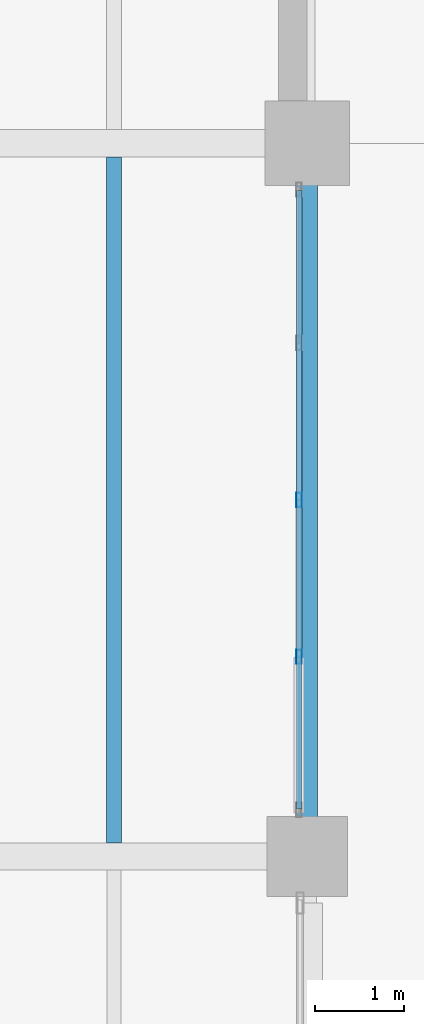
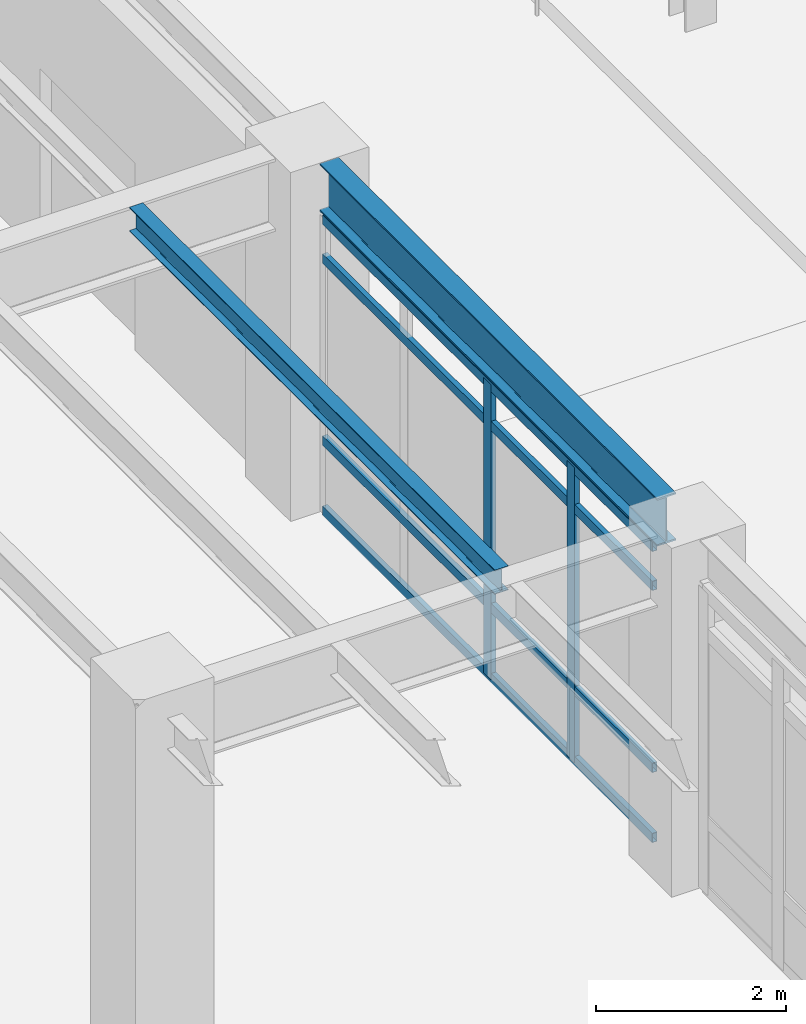
# One storey, part 113 of 200: 6 members, 2 beams, 1 element without a shape of its own.
"""IFC4 building model written with IfcOpenShell, lengths in metres."""

from ifc_helpers import new_model, si_unit, direction, frame, origin, origin_2d, place, context, subcontext, project, spatial, hollow_rectangle, i_section, extrude, material, material_profile, profile_set, type_object, element, aggregate, save


model = new_model("IFC4")

# Units and contexts
model_context = context("Model", 3, precision=1e-05, world=origin(), true_north=direction((0.0, 1.0)))
body_context = subcontext(model_context, "Body", "Model", "MODEL_VIEW")
ifc_project = project(units=[si_unit("LENGTHUNIT", "METRE"), si_unit("AREAUNIT", "SQUARE_METRE"), si_unit("VOLUMEUNIT", "CUBIC_METRE"), si_unit("PLANEANGLEUNIT", "RADIAN"), si_unit("MASSUNIT", "GRAM", prefix="KILO"), si_unit("THERMODYNAMICTEMPERATUREUNIT", "KELVIN"), si_unit("POWERUNIT", "WATT")], contexts=[model_context])

# Site, building, storey
site_placement = place(None, origin())
site = spatial("IfcSite", under=ifc_project, at=site_placement, CompositionType="ELEMENT")
building_placement = place(site_placement, origin())
building = spatial("IfcBuilding", under=site, at=building_placement, Name="Tepalcoro Natatorium and Aquatics Centre", CompositionType="ELEMENT")
storey_placement = place(building_placement, frame((0.0, 0.0, 5.39990234375)))
storey = spatial("IfcBuildingStorey", under=building, at=storey_placement, Name="L01", CompositionType="ELEMENT", Elevation=5.39990234375)

# Curtain wall, members
ifc_material_1 = material(Name="Bronze-Anodised Extruded Aluminium Alloy EN AW-6063 T6", Category="aluminium")
curtain_wall_type = type_object("IfcCurtainWallType", Name="CW_V1_PLINTH", PredefinedType="USERDEFINED", material=ifc_material_1)
curtain_wall_placement = place(storey_placement, origin())
curtain_wall = element("IfcCurtainWall", 1, at=curtain_wall_placement, inside=storey, type_object=curtain_wall_type, Name="V1 L01 E Unitised Curtain Wall Bay 4", ObjectType="UNITISED STOREFRONT", PredefinedType="USERDEFINED")
ifc_material_profile_1 = material_profile(ifc_material_1, hollow_rectangle(XDim=0.06005859375, YDim=0.159912109375, WallThickness=0.00390625, at=origin_2d()), Name="AL60X160X4")
ifc_profile_set_1 = profile_set([ifc_material_profile_1], Name="Bronze-Anodised Extruded Aluminium Alloy EN AW-6063 T6")
member_type_1 = type_object("IfcMemberType", Name="CW_MUL_60x160", PredefinedType="MULLION", material=ifc_profile_set_1)
member_1_placement = place(storey_placement, frame((131.409912109375, 30.239990234375, 0.02001953125), z_axis=(0.0, 0.0, 1.0), x_axis=(1.0, 0.0, 0.0)))
member_1 = element("IfcMember", 2, at=member_1_placement, type_object=member_type_1, Name="CW_V1_PLINTH Curtain Wall Mullion", PredefinedType="MULLION", context=body_context, shape_type="SweptSolid", body=[
    extrude(hollow_rectangle(XDim=0.06005859375, YDim=0.159912109375, WallThickness=0.00390625, at=origin_2d()), origin(), (0.0, 0.0, 1.0), 3.798095703125),
])
member_2_placement = place(storey_placement, frame((131.409912109375, 32.0, 0.02001953125), z_axis=(0.0, 0.0, 1.0), x_axis=(1.0, 0.0, 0.0)))
member_2 = element("IfcMember", 3, at=member_2_placement, type_object=member_type_1, Name="CW_V1_PLINTH Curtain Wall Mullion", PredefinedType="MULLION", context=body_context, shape_type="SweptSolid", body=[
    extrude(hollow_rectangle(XDim=0.06005859375, YDim=0.159912109375, WallThickness=0.00390625, at=origin_2d()), origin(), (0.0, 0.0, 1.0), 3.798095703125),
])
ifc_material_profile_2 = material_profile(ifc_material_1, hollow_rectangle(XDim=0.06005859375, YDim=0.1201171875, WallThickness=0.00390625, at=origin_2d()), Name="AL60X120X4")
ifc_profile_set_2 = profile_set([ifc_material_profile_2], Name="Bronze-Anodised Extruded Aluminium Alloy EN AW-6063 T6")
member_type_2 = type_object("IfcMemberType", Name="CW_TRN_60x120", PredefinedType="USERDEFINED", material=ifc_profile_set_2)
member_3_placement = place(storey_placement, frame((131.409912109375, 28.530029296875, 0.050048828125), z_axis=(0.0, 1.0, 0.0), x_axis=(-1.0, 0.0, 0.0)))
member_3 = element("IfcMember", 4, at=member_3_placement, type_object=member_type_2, Name="CW_V1_PLINTH Curtain Wall Transom", ObjectType="TRANSOM", PredefinedType="USERDEFINED", context=body_context, shape_type="SweptSolid", body=[
    extrude(hollow_rectangle(XDim=0.06005859375, YDim=0.1201171875, WallThickness=0.00390625, at=origin_2d()), origin(), (0.0, 0.0, 1.0), 6.93994140625),
])
member_4_placement = place(storey_placement, frame((131.409912109375, 28.530029296875, 0.9501953125), z_axis=(0.0, 1.0, 0.0), x_axis=(-1.0, 0.0, 0.0)))
member_4 = element("IfcMember", 5, at=member_4_placement, type_object=member_type_2, Name="CW_V1_PLINTH Curtain Wall Transom", ObjectType="TRANSOM", PredefinedType="USERDEFINED", context=body_context, shape_type="SweptSolid", body=[
    extrude(hollow_rectangle(XDim=0.06005859375, YDim=0.1201171875, WallThickness=0.00390625, at=origin_2d()), origin(), (0.0, 0.0, 1.0), 6.93994140625),
])
member_5_placement = place(storey_placement, frame((131.409912109375, 28.530029296875, 3.2880859375), z_axis=(0.0, 1.0, 0.0), x_axis=(-1.0, 0.0, 0.0)))
member_5 = element("IfcMember", 6, at=member_5_placement, type_object=member_type_2, Name="CW_V1_PLINTH Curtain Wall Transom", ObjectType="TRANSOM", PredefinedType="USERDEFINED", context=body_context, shape_type="SweptSolid", body=[
    extrude(hollow_rectangle(XDim=0.06005859375, YDim=0.1201171875, WallThickness=0.00390625, at=origin_2d()), origin(), (0.0, 0.0, 1.0), 6.93994140625),
])
member_6_placement = place(storey_placement, frame((131.409912109375, 28.530029296875, 3.7880859375), z_axis=(0.0, 1.0, 0.0), x_axis=(-1.0, 0.0, 0.0)))
member_6 = element("IfcMember", 7, at=member_6_placement, type_object=member_type_2, Name="CW_V1_PLINTH Curtain Wall Transom", ObjectType="TRANSOM", PredefinedType="USERDEFINED", context=body_context, shape_type="SweptSolid", body=[
    extrude(hollow_rectangle(XDim=0.06005859375, YDim=0.1201171875, WallThickness=0.00390625, at=origin_2d()), origin(), (0.0, 0.0, 1.0), 6.93994140625),
])
aggregate(curtain_wall, [member_1, member_2, member_3, member_4, member_5, member_6])

# Beams
ifc_material_2 = material(Name="Steel ASTM A992 Grade 50 (Fy 345 MPa)", Category="steel")
ifc_material_profile_3 = material_profile(ifc_material_2, i_section(OverallWidth=0.1650390625, OverallDepth=0.31005859375, WebThickness=0.006103515625, FlangeThickness=0.010009765625, FilletRadius=0.013916015625, at=origin_2d()), Name="W12X26")
ifc_profile_set_3 = profile_set([ifc_material_profile_3], Name="Steel ASTM A992 Grade 50 (Fy 345 MPa)")
beam_type_1 = type_object("IfcBeamType", Name="JS_W12x26", PredefinedType="JOIST", material=ifc_profile_set_3)
beam_1_placement = place(storey_placement, frame((129.333251953125, 28.152587890625, 4.31005859375), z_axis=(0.0, 1.0, 0.0), x_axis=(-1.0, 0.0, 0.0)))
element("IfcBeam", 8, at=beam_1_placement, inside=storey, type_object=beam_type_1, Name="V1 L01 Floor Joist", PredefinedType="JOIST", context=body_context, shape_type="SweptSolid", body=[
    extrude(i_section(OverallWidth=0.1650390625, OverallDepth=0.31005859375, WebThickness=0.006103515625, FlangeThickness=0.010009765625, FilletRadius=0.013916015625, at=origin_2d()), origin(), (0.0, 0.0, 1.0), 7.6923828125),
])
ifc_material_profile_4 = material_profile(ifc_material_2, i_section(OverallWidth=0.22900390625, OverallDepth=0.612060546875, WebThickness=0.011962890625, FlangeThickness=0.02001953125, FilletRadius=0.013916015625, at=origin_2d()), Name="W24X84")
ifc_profile_set_4 = profile_set([ifc_material_profile_4], Name="Steel ASTM A992 Grade 50 (Fy 345 MPa)")
beam_type_2 = type_object("IfcBeamType", Name="SP_W24x84", PredefinedType="SPANDREL", material=ifc_profile_set_4)
beam_2_placement = place(storey_placement, frame((131.5, 28.43505859375, 4.1591796875), z_axis=(0.0, 1.0, 0.0), x_axis=(-1.0, 0.0, 0.0)))
element("IfcBeam", 9, at=beam_2_placement, inside=storey, type_object=beam_type_2, Name="V1 L01 Grid Girder Y", PredefinedType="SPANDREL", context=body_context, shape_type="SweptSolid", body=[
    extrude(i_section(OverallWidth=0.22900390625, OverallDepth=0.612060546875, WebThickness=0.011962890625, FlangeThickness=0.02001953125, FilletRadius=0.013916015625, at=origin_2d()), origin(), (0.0, 0.0, 1.0), 7.10498046875),
])

save(model, "model.ifc")
